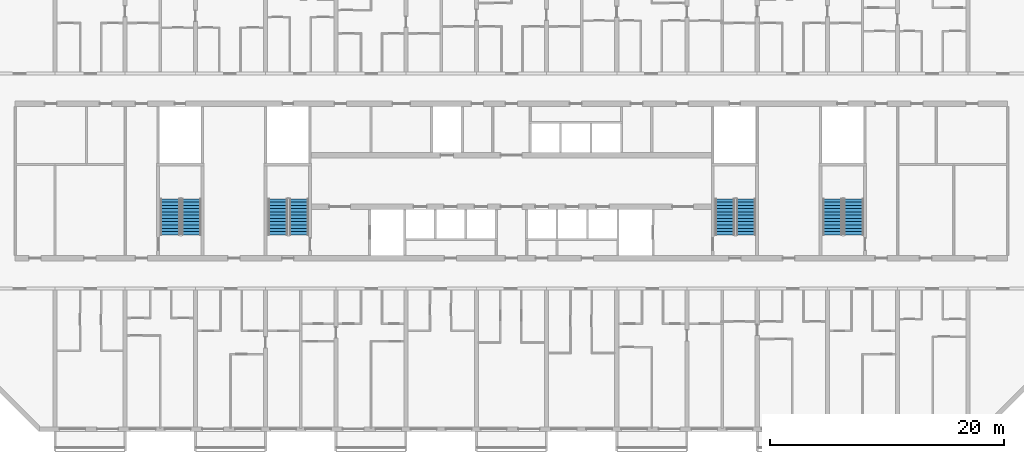
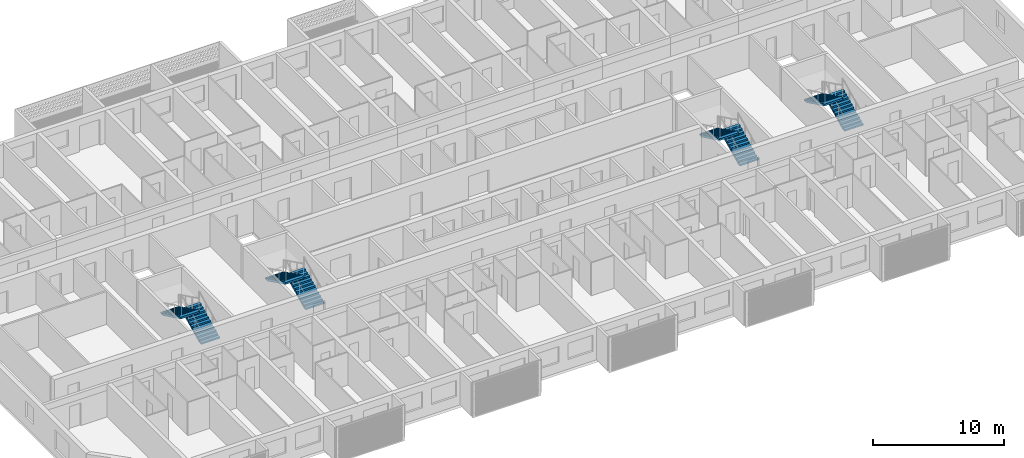
# One storey, part 17 of 29: 8 stair flights, 4 elements without a shape of their own.
"""IFC4 building model written with IfcOpenShell, lengths in metres."""

from ifc_helpers import new_model, si_unit, direction, frame, origin, place, context, subcontext, project, spatial, polyline, outline, extrude, material, layer, layer_set, type_object, element, aggregate, save


model = new_model("IFC4")

# Units and contexts
model_context = context("Model", 3, precision=1e-05, world=origin(), true_north=direction((0.0, 1.0)))
body_context = subcontext(model_context, "Body", "Model", "MODEL_VIEW")
ifc_project = project(units=[si_unit("LENGTHUNIT", "METRE"), si_unit("AREAUNIT", "SQUARE_METRE"), si_unit("VOLUMEUNIT", "CUBIC_METRE"), si_unit("PLANEANGLEUNIT", "RADIAN"), si_unit("MASSUNIT", "GRAM", prefix="KILO")], contexts=[model_context])

# Site, building, storey
site_placement = place(None, origin())
site = spatial("IfcSite", under=ifc_project, at=site_placement, CompositionType="ELEMENT")
building_placement = place(site_placement, origin())
building = spatial("IfcBuilding", under=site, at=building_placement, Name="Poui Terraces", CompositionType="ELEMENT")
storey_placement = place(building_placement, frame((0.0, 0.0, 86.10009765625)))
storey = spatial("IfcBuildingStorey", under=building, at=storey_placement, Name="L23", CompositionType="ELEMENT", Elevation=86.10009765625)

# Stair, stair flights
ifc_material = material(Name="Concrete 65 MPa", Category="concrete")
stair_type = type_object("IfcStairType", Name="EXIT STAIR 1650 65 MPA", PredefinedType="HALF_TURN_STAIR", material=ifc_material)
stair_1_placement = place(storey_placement, origin())
stair_1 = element("IfcStair", 1, at=stair_1_placement, inside=storey, type_object=stair_type, Name="L23 CORE STAIR EAST", PredefinedType="HALF_TURN_STAIR")
ifc_layer = layer(ifc_material, 0.14990234375)
ifc_layer_set = layer_set([ifc_layer], Name="Concrete 65 MPa")
stair_flight_type = type_object("IfcStairFlightType", Name="STAIR FLIGHT 12 RISERS 138 RISE 65 MPA", PredefinedType="STRAIGHT", material=ifc_layer_set)
stair_flight_1_placement = place(storey_placement, frame((71.050048828125, 16.60009765625, 0.0), z_axis=(0.0, 0.0, 1.0), x_axis=(0.0, 1.0, 0.0)))
stair_flight_1 = element("IfcStairFlight", 2, at=stair_flight_1_placement, type_object=stair_flight_type, Name="ST-CE flight 1", NumberOfRisers=12, NumberOfTreads=11, PredefinedType="STRAIGHT", RiserHeight=0.1375, TreadLength=0.28, context=body_context, shape_type="SweptSolid", body=[
    extrude(outline(polyline([(0.0, 0.0), (0.0, 0.137451171875), (0.280029296875, 0.137451171875), (0.280029296875, 0.27490234375), (0.56005859375, 0.27490234375), (0.56005859375, 0.41259765625), (0.840087890625, 0.41259765625), (0.840087890625, 0.550048828125), (1.1201171875, 0.550048828125), (1.1201171875, 0.6875), (1.39990234375, 0.6875), (1.39990234375, 0.824951171875), (1.679931640625, 0.824951171875), (1.679931640625, 0.96240234375), (1.9599609375, 0.96240234375), (1.9599609375, 1.10009765625), (2.239990234375, 1.10009765625), (2.239990234375, 1.237548828125), (2.52001953125, 1.237548828125), (2.52001953125, 1.375), (2.800048828125, 1.375), (2.800048828125, 1.512451171875), (3.080078125, 1.512451171875), (3.080078125, 1.64990234375), (3.080078125, 1.345458984375), (0.340087890625, 0.0), (0.0, 0.0)])), frame((0.0, 0.824951171875, 0.0), z_axis=(0.0, -1.0, 0.0), x_axis=(1.0, 0.0, 0.0)), (0.0, 0.0, 1.0), 1.64990234375),
])
stair_flight_2_placement = place(storey_placement, frame((69.25, 19.679931640625, 1.64990234375), z_axis=(0.0, 0.0, 1.0), x_axis=(0.0, -1.0, 0.0)))
stair_flight_2 = element("IfcStairFlight", 3, at=stair_flight_2_placement, type_object=stair_flight_type, Name="ST-CE flight 2", NumberOfRisers=12, NumberOfTreads=11, PredefinedType="STRAIGHT", RiserHeight=0.1375, TreadLength=0.28, context=body_context, shape_type="SweptSolid", body=[
    extrude(outline(polyline([(0.0, 0.0), (0.0, 0.137451171875), (0.280029296875, 0.137451171875), (0.280029296875, 0.27490234375), (0.56005859375, 0.27490234375), (0.56005859375, 0.41259765625), (0.840087890625, 0.41259765625), (0.840087890625, 0.550048828125), (1.1201171875, 0.550048828125), (1.1201171875, 0.6875), (1.39990234375, 0.6875), (1.39990234375, 0.824951171875), (1.679931640625, 0.824951171875), (1.679931640625, 0.96240234375), (1.9599609375, 0.96240234375), (1.9599609375, 1.10009765625), (2.239990234375, 1.10009765625), (2.239990234375, 1.237548828125), (2.52001953125, 1.237548828125), (2.52001953125, 1.375), (2.800048828125, 1.375), (2.800048828125, 1.512451171875), (3.080078125, 1.512451171875), (3.080078125, 1.64990234375), (3.080078125, 1.345458984375), (0.340087890625, 0.0), (0.0, 0.0)])), frame((0.0, 0.824951171875, 0.0), z_axis=(0.0, -1.0, 0.0), x_axis=(1.0, 0.0, 0.0)), (0.0, 0.0, 1.0), 1.64990234375),
])
aggregate(stair_1, [stair_flight_1, stair_flight_2])

stair_2_placement = place(storey_placement, origin())
stair_2 = element("IfcStair", 4, at=stair_2_placement, inside=storey, type_object=stair_type, Name="L23 CORE STAIR WEST", PredefinedType="HALF_TURN_STAIR")
stair_flight_3_placement = place(storey_placement, frame((32.85009765625, 16.60009765625, 0.0), z_axis=(0.0, 0.0, 1.0), x_axis=(0.0, 1.0, 0.0)))
stair_flight_3 = element("IfcStairFlight", 5, at=stair_flight_3_placement, type_object=stair_flight_type, Name="ST-CW flight 1", NumberOfRisers=12, NumberOfTreads=11, PredefinedType="STRAIGHT", RiserHeight=0.1375, TreadLength=0.28, context=body_context, shape_type="SweptSolid", body=[
    extrude(outline(polyline([(0.0, 0.0), (0.0, 0.137451171875), (0.280029296875, 0.137451171875), (0.280029296875, 0.27490234375), (0.56005859375, 0.27490234375), (0.56005859375, 0.41259765625), (0.840087890625, 0.41259765625), (0.840087890625, 0.550048828125), (1.1201171875, 0.550048828125), (1.1201171875, 0.6875), (1.39990234375, 0.6875), (1.39990234375, 0.824951171875), (1.679931640625, 0.824951171875), (1.679931640625, 0.96240234375), (1.9599609375, 0.96240234375), (1.9599609375, 1.10009765625), (2.239990234375, 1.10009765625), (2.239990234375, 1.237548828125), (2.52001953125, 1.237548828125), (2.52001953125, 1.375), (2.800048828125, 1.375), (2.800048828125, 1.512451171875), (3.080078125, 1.512451171875), (3.080078125, 1.64990234375), (3.080078125, 1.345458984375), (0.340087890625, 0.0), (0.0, 0.0)])), frame((0.0, 0.824951171875, 0.0), z_axis=(0.0, -1.0, 0.0), x_axis=(1.0, 0.0, 0.0)), (0.0, 0.0, 1.0), 1.64990234375),
])
stair_flight_4_placement = place(storey_placement, frame((31.050048828125, 19.679931640625, 1.64990234375), z_axis=(0.0, 0.0, 1.0), x_axis=(0.0, -1.0, 0.0)))
stair_flight_4 = element("IfcStairFlight", 6, at=stair_flight_4_placement, type_object=stair_flight_type, Name="ST-CW flight 2", NumberOfRisers=12, NumberOfTreads=11, PredefinedType="STRAIGHT", RiserHeight=0.1375, TreadLength=0.28, context=body_context, shape_type="SweptSolid", body=[
    extrude(outline(polyline([(0.0, 0.0), (0.0, 0.137451171875), (0.280029296875, 0.137451171875), (0.280029296875, 0.27490234375), (0.56005859375, 0.27490234375), (0.56005859375, 0.41259765625), (0.840087890625, 0.41259765625), (0.840087890625, 0.550048828125), (1.1201171875, 0.550048828125), (1.1201171875, 0.6875), (1.39990234375, 0.6875), (1.39990234375, 0.824951171875), (1.679931640625, 0.824951171875), (1.679931640625, 0.96240234375), (1.9599609375, 0.96240234375), (1.9599609375, 1.10009765625), (2.239990234375, 1.10009765625), (2.239990234375, 1.237548828125), (2.52001953125, 1.237548828125), (2.52001953125, 1.375), (2.800048828125, 1.375), (2.800048828125, 1.512451171875), (3.080078125, 1.512451171875), (3.080078125, 1.64990234375), (3.080078125, 1.345458984375), (0.340087890625, 0.0), (0.0, 0.0)])), frame((0.0, 0.824951171875, 0.0), z_axis=(0.0, -1.0, 0.0), x_axis=(1.0, 0.0, 0.0)), (0.0, 0.0, 1.0), 1.64990234375),
])
aggregate(stair_2, [stair_flight_3, stair_flight_4])

stair_3_placement = place(storey_placement, origin())
stair_3 = element("IfcStair", 7, at=stair_3_placement, inside=storey, type_object=stair_type, Name="L23 TIP STAIR EAST", PredefinedType="HALF_TURN_STAIR")
stair_flight_5_placement = place(storey_placement, frame((80.25, 16.60009765625, 0.0), z_axis=(0.0, 0.0, 1.0), x_axis=(0.0, 1.0, 0.0)))
stair_flight_5 = element("IfcStairFlight", 8, at=stair_flight_5_placement, type_object=stair_flight_type, Name="ST-E flight 1", NumberOfRisers=12, NumberOfTreads=11, PredefinedType="STRAIGHT", RiserHeight=0.1375, TreadLength=0.28, context=body_context, shape_type="SweptSolid", body=[
    extrude(outline(polyline([(0.0, 0.0), (0.0, 0.137451171875), (0.280029296875, 0.137451171875), (0.280029296875, 0.27490234375), (0.56005859375, 0.27490234375), (0.56005859375, 0.41259765625), (0.840087890625, 0.41259765625), (0.840087890625, 0.550048828125), (1.1201171875, 0.550048828125), (1.1201171875, 0.6875), (1.39990234375, 0.6875), (1.39990234375, 0.824951171875), (1.679931640625, 0.824951171875), (1.679931640625, 0.96240234375), (1.9599609375, 0.96240234375), (1.9599609375, 1.10009765625), (2.239990234375, 1.10009765625), (2.239990234375, 1.237548828125), (2.52001953125, 1.237548828125), (2.52001953125, 1.375), (2.800048828125, 1.375), (2.800048828125, 1.512451171875), (3.080078125, 1.512451171875), (3.080078125, 1.64990234375), (3.080078125, 1.345458984375), (0.340087890625, 0.0), (0.0, 0.0)])), frame((0.0, 0.824951171875, 0.0), z_axis=(0.0, -1.0, 0.0), x_axis=(1.0, 0.0, 0.0)), (0.0, 0.0, 1.0), 1.64990234375),
])
stair_flight_6_placement = place(storey_placement, frame((78.449951171875, 19.679931640625, 1.64990234375), z_axis=(0.0, 0.0, 1.0), x_axis=(0.0, -1.0, 0.0)))
stair_flight_6 = element("IfcStairFlight", 9, at=stair_flight_6_placement, type_object=stair_flight_type, Name="ST-E flight 2", NumberOfRisers=12, NumberOfTreads=11, PredefinedType="STRAIGHT", RiserHeight=0.1375, TreadLength=0.28, context=body_context, shape_type="SweptSolid", body=[
    extrude(outline(polyline([(0.0, 0.0), (0.0, 0.137451171875), (0.280029296875, 0.137451171875), (0.280029296875, 0.27490234375), (0.56005859375, 0.27490234375), (0.56005859375, 0.41259765625), (0.840087890625, 0.41259765625), (0.840087890625, 0.550048828125), (1.1201171875, 0.550048828125), (1.1201171875, 0.6875), (1.39990234375, 0.6875), (1.39990234375, 0.824951171875), (1.679931640625, 0.824951171875), (1.679931640625, 0.96240234375), (1.9599609375, 0.96240234375), (1.9599609375, 1.10009765625), (2.239990234375, 1.10009765625), (2.239990234375, 1.237548828125), (2.52001953125, 1.237548828125), (2.52001953125, 1.375), (2.800048828125, 1.375), (2.800048828125, 1.512451171875), (3.080078125, 1.512451171875), (3.080078125, 1.64990234375), (3.080078125, 1.345458984375), (0.340087890625, 0.0), (0.0, 0.0)])), frame((0.0, 0.824951171875, 0.0), z_axis=(0.0, -1.0, 0.0), x_axis=(1.0, 0.0, 0.0)), (0.0, 0.0, 1.0), 1.64990234375),
])
aggregate(stair_3, [stair_flight_5, stair_flight_6])

stair_4_placement = place(storey_placement, origin())
stair_4 = element("IfcStair", 10, at=stair_4_placement, inside=storey, type_object=stair_type, Name="L23 TIP STAIR WEST", PredefinedType="HALF_TURN_STAIR")
stair_flight_7_placement = place(storey_placement, frame((23.64990234375, 16.60009765625, 0.0), z_axis=(0.0, 0.0, 1.0), x_axis=(0.0, 1.0, 0.0)))
stair_flight_7 = element("IfcStairFlight", 11, at=stair_flight_7_placement, type_object=stair_flight_type, Name="ST-W flight 1", NumberOfRisers=12, NumberOfTreads=11, PredefinedType="STRAIGHT", RiserHeight=0.1375, TreadLength=0.28, context=body_context, shape_type="SweptSolid", body=[
    extrude(outline(polyline([(0.0, 0.0), (0.0, 0.137451171875), (0.280029296875, 0.137451171875), (0.280029296875, 0.27490234375), (0.56005859375, 0.27490234375), (0.56005859375, 0.41259765625), (0.840087890625, 0.41259765625), (0.840087890625, 0.550048828125), (1.1201171875, 0.550048828125), (1.1201171875, 0.6875), (1.39990234375, 0.6875), (1.39990234375, 0.824951171875), (1.679931640625, 0.824951171875), (1.679931640625, 0.96240234375), (1.9599609375, 0.96240234375), (1.9599609375, 1.10009765625), (2.239990234375, 1.10009765625), (2.239990234375, 1.237548828125), (2.52001953125, 1.237548828125), (2.52001953125, 1.375), (2.800048828125, 1.375), (2.800048828125, 1.512451171875), (3.080078125, 1.512451171875), (3.080078125, 1.64990234375), (3.080078125, 1.345458984375), (0.340087890625, 0.0), (0.0, 0.0)])), frame((0.0, 0.824951171875, 0.0), z_axis=(0.0, -1.0, 0.0), x_axis=(1.0, 0.0, 0.0)), (0.0, 0.0, 1.0), 1.64990234375),
])
stair_flight_8_placement = place(storey_placement, frame((21.85009765625, 19.679931640625, 1.64990234375), z_axis=(0.0, 0.0, 1.0), x_axis=(0.0, -1.0, 0.0)))
stair_flight_8 = element("IfcStairFlight", 12, at=stair_flight_8_placement, type_object=stair_flight_type, Name="ST-W flight 2", NumberOfRisers=12, NumberOfTreads=11, PredefinedType="STRAIGHT", RiserHeight=0.1375, TreadLength=0.28, context=body_context, shape_type="SweptSolid", body=[
    extrude(outline(polyline([(0.0, 0.0), (0.0, 0.137451171875), (0.280029296875, 0.137451171875), (0.280029296875, 0.27490234375), (0.56005859375, 0.27490234375), (0.56005859375, 0.41259765625), (0.840087890625, 0.41259765625), (0.840087890625, 0.550048828125), (1.1201171875, 0.550048828125), (1.1201171875, 0.6875), (1.39990234375, 0.6875), (1.39990234375, 0.824951171875), (1.679931640625, 0.824951171875), (1.679931640625, 0.96240234375), (1.9599609375, 0.96240234375), (1.9599609375, 1.10009765625), (2.239990234375, 1.10009765625), (2.239990234375, 1.237548828125), (2.52001953125, 1.237548828125), (2.52001953125, 1.375), (2.800048828125, 1.375), (2.800048828125, 1.512451171875), (3.080078125, 1.512451171875), (3.080078125, 1.64990234375), (3.080078125, 1.345458984375), (0.340087890625, 0.0), (0.0, 0.0)])), frame((0.0, 0.824951171875, 0.0), z_axis=(0.0, -1.0, 0.0), x_axis=(1.0, 0.0, 0.0)), (0.0, 0.0, 1.0), 1.64990234375),
])
aggregate(stair_4, [stair_flight_7, stair_flight_8])

save(model, "model.ifc")
